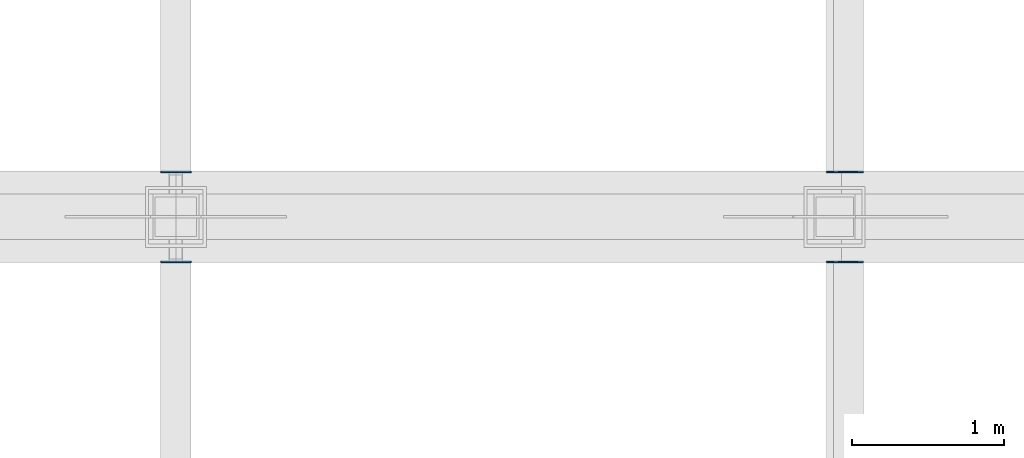
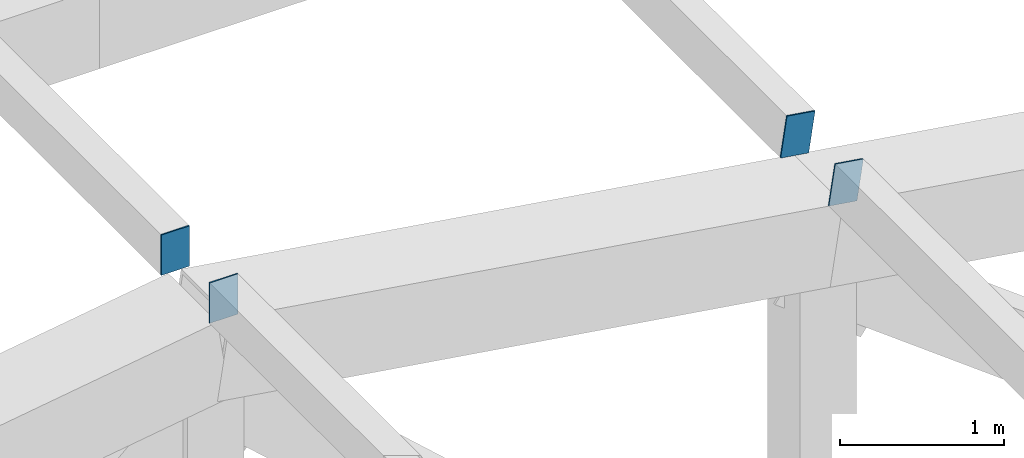
# One storey, part 25 of 32: 4 discrete accessories.
"""IFC4 building model written with IfcOpenShell, lengths in metres."""

from ifc_helpers import new_model, si_unit, direction, frame, origin, place, context, subcontext, project, spatial, polyline, outline, extrude, material, layer, layer_set, type_object, element, save


model = new_model("IFC4")

# Units and contexts
model_context = context("Model", 3, precision=1e-05, world=origin(), true_north=direction((0.0, 1.0)))
body_context = subcontext(model_context, "Body", "Model", "MODEL_VIEW")
ifc_project = project(units=[si_unit("LENGTHUNIT", "METRE"), si_unit("AREAUNIT", "SQUARE_METRE"), si_unit("VOLUMEUNIT", "CUBIC_METRE"), si_unit("PLANEANGLEUNIT", "RADIAN"), si_unit("MASSUNIT", "GRAM", prefix="KILO")], contexts=[model_context])

# Site, building, storey
site_placement = place(None, origin())
site = spatial("IfcSite", under=ifc_project, at=site_placement, CompositionType="ELEMENT")
building_placement = place(site_placement, origin())
building = spatial("IfcBuilding", under=site, at=building_placement, Name="Aravalli Gate Trade Fair Centre", CompositionType="ELEMENT")
storey_placement = place(building_placement, frame((0.0, 0.0, 23.39990234375)))
storey = spatial("IfcBuildingStorey", under=building, at=storey_placement, Name="ROOF LEVEL 1", CompositionType="ELEMENT", Elevation=23.39990234375)

# Discrete accessories
ifc_material = material(Name="Steel E350", Category="steel")
ifc_layer = layer(ifc_material, 0.010009765625)
ifc_layer_set = layer_set([ifc_layer], Name="Steel E350")
discrete_accessory_type = type_object("IfcDiscreteAccessoryType", Name="End plate 200x300 x 10", PredefinedType="USERDEFINED", material=ifc_layer_set)
for number, where, z_axis, x_axis, name in (
    (1, (128.5, 99.7099609375, 5.106201171875), (0.0, 1.0, 0.0), (-1.0, 0.0, 0.0), "End plate Roof purlin line 6 bay 4 end B"),
    (2, (128.5, 100.300048828125, 5.106201171875), (0.0, 1.0, 0.0), (-1.0, 0.0, 0.0), "End plate Roof purlin line 6 bay 5 end A"),
):
    element("IfcDiscreteAccessory", number, at=place(storey_placement, frame(where, z_axis=z_axis, x_axis=x_axis)), inside=storey, type_object=discrete_accessory_type, Name=name, ObjectType="END CAP", PredefinedType="USERDEFINED", context=body_context, shape_type="SweptSolid", body=[
        extrude(outline(polyline([(0.0, 0.0), (0.199951171875, 0.0), (0.199951171875, 0.300048828125), (0.0, 0.300048828125), (0.0, 0.0)])), origin(), (0.0, 0.0, -1.0), 0.010009765625),
    ])
for number, where, z_axis, x_axis, name in (
    (3, (132.8642578125, 99.7099609375, 4.42138671875), (0.0, 1.0, 0.0), (-0.988484290215, 0.0, 0.151323520971), "End plate Roof purlin line 7 bay 4 end B"),
    (4, (132.8642578125, 100.300048828125, 4.42138671875), (0.0, 1.0, 0.0), (-0.988484290215, 0.0, 0.151323520971), "End plate Roof purlin line 7 bay 5 end A"),
):
    element("IfcDiscreteAccessory", number, at=place(storey_placement, frame(where, z_axis=z_axis, x_axis=x_axis)), inside=storey, type_object=discrete_accessory_type, Name=name, ObjectType="END CAP", PredefinedType="USERDEFINED", context=body_context, shape_type="SweptSolid", body=[
        extrude(outline(polyline([(0.0, 0.0), (0.2000577128110791, 0.0), (0.2000577128110791, 0.30008656921661864), (0.0002413291724156566, 0.30004962499763155), (0.0, 0.0)])), origin(), (0.0, 0.0, -1.0), 0.010009765625),
    ])

save(model, "model.ifc")
